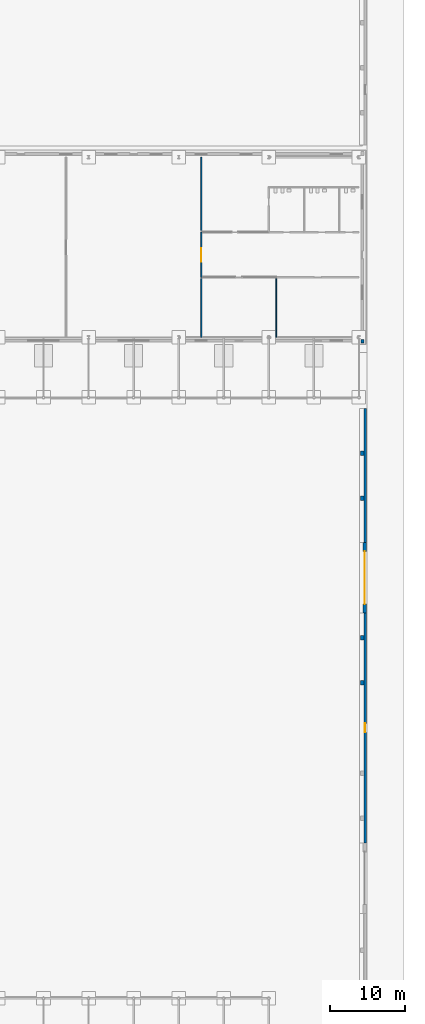
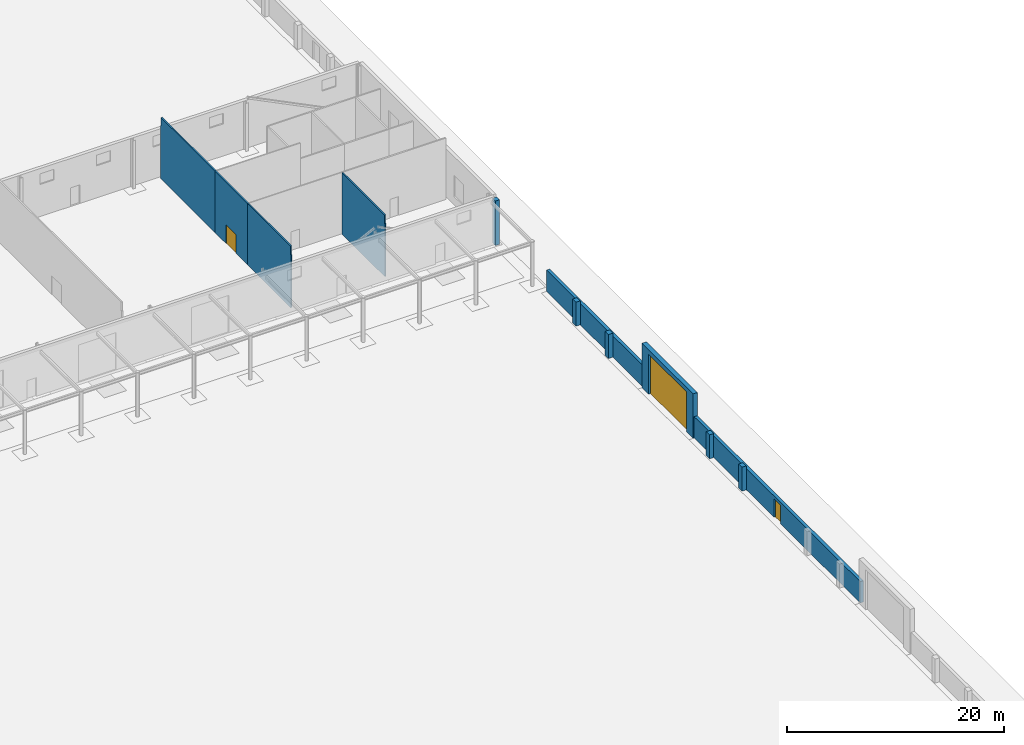
# One storey, part 92 of 132: 12 walls, 3 doors, 3 openings.
"""IFC4 building model written with IfcOpenShell, lengths in metres."""

import ifcopenshell
import ifcopenshell.guid

model = None  # the IFC model being written
_history = None  # IfcOwnerHistory: only IFC2X3 demands one
_inside = {}  # id of a spatial element -> (the spatial element, [elements in it])
_under = {}  # id of a project, library or spatial element -> (it, [spatial elements below it])
_declared = {}  # id of a project -> (the project, [libraries it declares])
_typed = {}  # id of a type object -> (the type object, [elements of that type])
_made_of = {}  # id of a material, layer set ... -> (it, [elements and type objects made of it])


def new_model(schema):
    """Start an empty IFC model of exactly this schema.

    Asked for "IFC4X3", IfcOpenShell would pick the latest addendum, in which some entities
    have other attributes; the version numbers below select the first issue.
    IFC2X3 requires an IfcOwnerHistory on every rooted entity: one is made here for all.
    """
    global model, _history
    if schema == "IFC4X3":
        model = ifcopenshell.file(schema_version=(4, 3, 0, 0))
    else:
        model = ifcopenshell.file(schema=schema)
    _inside.clear()
    _under.clear()
    _declared.clear()
    _typed.clear()
    _made_of.clear()
    _history = None
    if model.schema == "IFC2X3":
        org = make("IfcOrganization", Name="unknown")
        user = make(
            "IfcPersonAndOrganization",
            ThePerson=make("IfcPerson", FamilyName="unknown"),
            TheOrganization=org,
        )
        app = make(
            "IfcApplication",
            ApplicationDeveloper=org,
            Version="unknown",
            ApplicationFullName="unknown",
            ApplicationIdentifier="unknown",
        )
        _history = make(
            "IfcOwnerHistory",
            OwningUser=user,
            OwningApplication=app,
            ChangeAction="ADDED",
            CreationDate=0,
        )
    return model


def make(cls, **values):
    """One entity of the class cls with the attributes given. An attribute that is None is left unset."""
    return model.create_entity(
        cls, **{name: value for name, value in values.items() if value is not None}
    )


def rooted(cls, **values):
    """An entity with a GlobalId (a new one), such as an element, a storey or a relation."""
    return make(cls, GlobalId=ifcopenshell.guid.new(), OwnerHistory=_history, **values)


def si_unit(unit_type, name, prefix=None):
    """IfcSIUnit, for example si_unit("LENGTHUNIT", "METRE", prefix="MILLI")."""
    return make("IfcSIUnit", UnitType=unit_type, Prefix=prefix, Name=name)


def assignment(units):
    """IfcUnitAssignment: the units of a project."""
    return None if units is None else make("IfcUnitAssignment", Units=units)


def point(xyz):
    """IfcCartesianPoint."""
    return None if xyz is None else make("IfcCartesianPoint", Coordinates=xyz)


def direction(xyz):
    """IfcDirection."""
    return None if xyz is None else make("IfcDirection", DirectionRatios=xyz)


def frame(location, z_axis=None, x_axis=None):
    """IfcAxis2Placement3D, a coordinate frame: its origin and axes. An axis left out is left unset."""
    return make(
        "IfcAxis2Placement3D",
        Location=point(location),
        Axis=direction(z_axis),
        RefDirection=direction(x_axis),
    )


def frame_2d(location, x_axis=None):
    """IfcAxis2Placement2D, a coordinate frame in the plane: its origin and x axis."""
    return make(
        "IfcAxis2Placement2D", Location=point(location), RefDirection=direction(x_axis)
    )


def origin():
    """The frame at (0, 0, 0) with its axes left unset."""
    return frame((0.0, 0.0, 0.0))


def place(relative_to, where):
    """IfcLocalPlacement: puts the frame where relative to a parent placement (None: the world)."""
    return make(
        "IfcLocalPlacement", PlacementRelTo=relative_to, RelativePlacement=where
    )


def context(
    kind, dimensions, precision=None, world=None, true_north=None, identifier=None
):
    """IfcGeometricRepresentationContext, for example the 3D "Model" context."""
    return make(
        "IfcGeometricRepresentationContext",
        ContextIdentifier=identifier,
        ContextType=kind,
        CoordinateSpaceDimension=dimensions,
        Precision=precision,
        WorldCoordinateSystem=world,
        TrueNorth=true_north,
    )


def subcontext(parent, identifier, kind, view, scale=None):
    """IfcGeometricRepresentationSubContext, for example "Body" below "Model"."""
    return make(
        "IfcGeometricRepresentationSubContext",
        ContextIdentifier=identifier,
        ContextType=kind,
        ParentContext=parent,
        TargetScale=scale,
        TargetView=view,
    )


def project(units=None, contexts=None):
    """IfcProject with its units and contexts."""
    return rooted(
        "IfcProject",
        Name="project",
        RepresentationContexts=contexts,
        UnitsInContext=assignment(units),
    )


def spatial(cls, under=None, at=None, **own):
    """A site, building, storey or space (cls), placed at a placement, below another one or the project."""
    s = rooted(cls, ObjectPlacement=at, **own)
    if under is not None:
        _under.setdefault(under.id(), (under, []))[1].append(s)
    return s


def polyline(points):
    """IfcPolyline through the points."""
    return make("IfcPolyline", Points=[point(p) for p in points])


def profile(cls, at=None, kind="AREA", **sizes):
    """A parametric profile (cls). Its sizes go by their IFC names, for example OverallWidth=200.0."""
    return make(cls, ProfileType=kind, Position=at, **sizes)


def rectangle(**sizes):
    """IfcRectangleProfileDef."""
    return profile("IfcRectangleProfileDef", **sizes)


def outline(outer, holes=None, kind="AREA"):
    """IfcArbitraryClosedProfileDef: a profile drawn as a closed curve; with holes, ...WithVoids."""
    if holes is None:
        return make("IfcArbitraryClosedProfileDef", ProfileType=kind, OuterCurve=outer)
    return make(
        "IfcArbitraryProfileDefWithVoids",
        ProfileType=kind,
        OuterCurve=outer,
        InnerCurves=holes,
    )


def extrude(swept, where, along, depth):
    """IfcExtrudedAreaSolid: the profile swept, set in the frame where, extruded along a direction by depth."""
    return make(
        "IfcExtrudedAreaSolid",
        SweptArea=swept,
        Position=where,
        ExtrudedDirection=direction(along),
        Depth=depth,
    )


def shape(context_of_items, identifier, shape_type, items):
    """IfcShapeRepresentation: the items that make up one representation, for example the "Body"."""
    return make(
        "IfcShapeRepresentation",
        ContextOfItems=context_of_items,
        RepresentationIdentifier=identifier,
        RepresentationType=shape_type,
        Items=items,
    )


def material(Name=None, Category=None):
    """IfcMaterial."""
    return make("IfcMaterial", Name=Name, Category=Category)


def layer(
    of_material, thickness, ventilated=None, Name=None, Category=None, Priority=None
):
    """IfcMaterialLayer: one layer of a wall or slab, of a material (None: an air gap)."""
    return make(
        "IfcMaterialLayer",
        Material=of_material,
        LayerThickness=thickness,
        IsVentilated=ventilated,
        Name=Name,
        Category=Category,
        Priority=Priority,
    )


def layer_set(layers, Name=None):
    """IfcMaterialLayerSet."""
    return make("IfcMaterialLayerSet", MaterialLayers=layers, LayerSetName=Name)


def made_of(thing, what):
    """Note that an element or type object is made of a material, layer set ...; save() writes the relation."""
    if what is not None:
        _made_of.setdefault(what.id(), (what, []))[1].append(thing)
    return thing


def type_object(cls, material=None, **own):
    """A type object (cls), such as IfcWallType, which elements share."""
    return made_of(rooted(cls, **own), material)


def element(
    cls,
    number,
    at=None,
    inside=None,
    cuts=None,
    type_object=None,
    material=None,
    context=None,
    identifier="Body",
    shape_type=None,
    held_by="IfcProductDefinitionShape",
    body=None,
    shapes=None,
    **own,
):
    """One element of the class cls, such as IfcWall. Its Tag is "e" and its number.

    at: its placement. inside: the storey or other place that contains it. cuts: it is an
    opening in that element (IfcRelVoidsElement). A single representation is given by context,
    identifier, shape_type and body (its items); several are given by shapes. held_by: the class
    of the entity that holds the representations. save() writes the other relations.
    """
    e = rooted(cls, Tag="e%d" % number, ObjectPlacement=at, **own)
    if body is not None:
        shapes = [shape(context, identifier, shape_type, body)]
    if shapes is not None:
        e.Representation = make(held_by, Representations=shapes)
    if inside is not None:
        _inside.setdefault(inside.id(), (inside, []))[1].append(e)
    if cuts is not None:
        rooted(
            "IfcRelVoidsElement", RelatingBuildingElement=cuts, RelatedOpeningElement=e
        )
    if type_object is not None:
        _typed.setdefault(type_object.id(), (type_object, []))[1].append(e)
    return made_of(e, material)


def fill(opening, filler):
    """IfcRelFillsElement: the door or window that sits in an opening."""
    return rooted(
        "IfcRelFillsElement",
        RelatingOpeningElement=opening,
        RelatedBuildingElement=filler,
    )


def aggregate(whole, parts):
    """IfcRelAggregates: a whole, such as a stair, and the parts it consists of."""
    return rooted("IfcRelAggregates", RelatingObject=whole, RelatedObjects=parts)


def save(model, path):
    """Write the relations noted so far, then the file.

    IfcRelAggregates (storeys below a building ...), IfcRelContainedInSpatialStructure (elements
    in a storey), IfcRelDefinesByType, IfcRelAssociatesMaterial and IfcRelDeclares: one each for
    every whole, place, type object, material and project.
    """
    for whole, parts in _under.values():
        aggregate(whole, parts)
    for where, things in _inside.values():
        rooted(
            "IfcRelContainedInSpatialStructure",
            RelatedElements=things,
            RelatingStructure=where,
        )
    for kind, things in _typed.values():
        rooted("IfcRelDefinesByType", RelatedObjects=things, RelatingType=kind)
    for what, things in _made_of.values():
        rooted("IfcRelAssociatesMaterial", RelatedObjects=things, RelatingMaterial=what)
    for by, libraries in _declared.values():
        rooted("IfcRelDeclares", RelatingContext=by, RelatedDefinitions=libraries)
    model.write(path)


model = new_model("IFC4")

# Units and contexts
model_context = context("Model", 3, precision=1e-05, world=origin(), true_north=direction((0.0, 1.0)))
body_context = subcontext(model_context, "Body", "Model", "MODEL_VIEW")
ifc_project = project(units=[si_unit("LENGTHUNIT", "METRE"), si_unit("AREAUNIT", "SQUARE_METRE"), si_unit("VOLUMEUNIT", "CUBIC_METRE"), si_unit("PLANEANGLEUNIT", "RADIAN"), si_unit("MASSUNIT", "GRAM", prefix="KILO")], contexts=[model_context])

# Site, building, storey
site_placement = place(None, origin())
site = spatial("IfcSite", under=ifc_project, at=site_placement, CompositionType="ELEMENT")
building_placement = place(site_placement, origin())
building = spatial("IfcBuilding", under=site, at=building_placement, Name="Ravi Spectrum Wholesale Market", CompositionType="ELEMENT")
storey_placement = place(building_placement, origin())
storey = spatial("IfcBuildingStorey", under=building, at=storey_placement, Name="L00", CompositionType="ELEMENT", Elevation=0.0)

# Wall
ifc_material_1 = material(Name="Concrete blockwork", Category="masonry")
ifc_layer_1 = layer(ifc_material_1, 0.14990234375)
ifc_layer_set_1 = layer_set([ifc_layer_1], Name="Concrete blockwork")
wall_type_1 = type_object("IfcWallType", Name="Blockwork partition 150", PredefinedType="PARTITIONING", material=ifc_layer_set_1)
wall_1_placement = place(storey_placement, frame((273.0, 162.0, 0.0), z_axis=(0.0, 0.0, 1.0), x_axis=(0.0, 1.0, 0.0)))
element("IfcWall", 1, at=wall_1_placement, inside=storey, type_object=wall_type_1, Name="GS-WL-L00-019", PredefinedType="PARTITIONING", context=body_context, shape_type="SweptSolid", body=[
    extrude(outline(polyline([(0.0, 0.0), (8.0, 0.0), (8.0, 6.89990234375), (0.090087890625, 6.89990234375), (0.0849609375, 5.927001953125), (0.0, 5.927001953125), (0.0, 0.0)])), frame((0.0, 0.074951171875, 0.0), z_axis=(0.0, -1.0, 0.0), x_axis=(1.0, 0.0, 0.0)), (0.0, 0.0, 1.0), 0.14990234375),
])

# Wall, opening, door
wall_2_placement = place(storey_placement, frame((273.0, 170.0, 0.0), z_axis=(0.0, 0.0, 1.0), x_axis=(0.0, 1.0, 0.0)))
wall_2 = element("IfcWall", 2, at=wall_2_placement, inside=storey, type_object=wall_type_1, Name="GS-WL-L00-020", PredefinedType="PARTITIONING", context=body_context, shape_type="SweptSolid", body=[
    extrude(rectangle(XDim=6.0, YDim=0.14990234375, at=frame_2d((3.0, 0.0))), origin(), (0.0, 0.0, 1.0), 6.89990234375),
])
opening_1_placement = place(wall_2_placement, frame((2.10009765625, 0.0, 0.0)))
opening_1 = element("IfcOpeningElement", 3, at=opening_1_placement, cuts=wall_2, Name="Opening D722", PredefinedType="OPENING", context=body_context, shape_type="SweptSolid", body=[
    extrude(rectangle(XDim=1.800048828125, YDim=2.10009765625, at=frame_2d((0.89990234375, 1.050048828125))), frame((0.0, 0.0849609375, 0.0), z_axis=(0.0, -1.0, 0.0), x_axis=(1.0, 0.0, 0.0)), (0.0, 0.0, 1.0), 0.169921875),
])
ifc_material_2 = material(Name="Steel door", Category="steel")
door_type_1 = type_object("IfcDoorType", Name="Double leaf door 1800 x 2100", OperationType="DOUBLE_DOOR_SINGLE_SWING", PredefinedType="DOOR", material=ifc_material_2)
door_1_placement = place(opening_1_placement, origin())
door_1 = element("IfcDoor", 4, at=door_1_placement, inside=storey, type_object=door_type_1, Name="Door D722", OperationType="DOUBLE_DOOR_SINGLE_SWING", OverallHeight=2.10009765625, OverallWidth=1.800048828125, PredefinedType="DOOR", context=body_context, shape_type="SweptSolid", body=[
    extrude(rectangle(XDim=1.800048828125, YDim=2.10009765625, at=frame_2d((0.89990234375, 1.050048828125))), frame((0.0, 0.02490234375, 0.0), z_axis=(0.0, -1.0, 0.0), x_axis=(1.0, 0.0, 0.0)), (0.0, 0.0, 1.0), 0.050048828125),
])
fill(opening_1, door_1)

# Walls
wall_3_placement = place(storey_placement, frame((273.0, 176.0, 0.0), z_axis=(0.0, 0.0, 1.0), x_axis=(0.0, 1.0, 0.0)))
element("IfcWall", 5, at=wall_3_placement, inside=storey, type_object=wall_type_1, Name="GS-WL-L00-021", PredefinedType="PARTITIONING", context=body_context, shape_type="SweptSolid", body=[
    extrude(outline(polyline([(0.0, 0.0), (10.0, 0.0), (10.0, 5.927001953125), (9.9150390625, 5.927001953125), (9.909912109375, 6.89990234375), (0.0, 6.89990234375), (0.0, 0.0)])), frame((0.0, 0.074951171875, 0.0), z_axis=(0.0, -1.0, 0.0), x_axis=(1.0, 0.0, 0.0)), (0.0, 0.0, 1.0), 0.14990234375),
])
wall_4_placement = place(storey_placement, frame((283.0, 162.0, 0.0), z_axis=(0.0, 0.0, 1.0), x_axis=(0.0, 1.0, 0.0)))
element("IfcWall", 6, at=wall_4_placement, inside=storey, type_object=wall_type_1, Name="GS-WL-L00-023", PredefinedType="PARTITIONING", context=body_context, shape_type="SweptSolid", body=[
    extrude(outline(polyline([(0.0, 0.0), (7.925048828125, 0.0), (7.925048828125, 6.89990234375), (0.090087890625, 6.89990234375), (0.0849609375, 5.927001953125), (0.0, 5.927001953125), (0.0, 0.0)])), frame((0.0, 0.074951171875, 0.0), z_axis=(0.0, -1.0, 0.0), x_axis=(1.0, 0.0, 0.0)), (0.0, 0.0, 1.0), 0.14990234375),
])

# Wall, opening, door
ifc_material_3 = material(Name="Facing brickwork", Category="masonry")
ifc_layer_2 = layer(ifc_material_3, 0.340087890625)
ifc_layer_set_2 = layer_set([ifc_layer_2], Name="Facing brickwork")
wall_type_2 = type_object("IfcWallType", Name="Boundary wall 340 facing brick", PredefinedType="SOLIDWALL", material=ifc_layer_set_2)
wall_5_placement = place(storey_placement, frame((294.830078125, 94.699951171875, 0.0), z_axis=(0.0, 0.0, 1.0), x_axis=(0.0, 1.0, 0.0)))
wall_5 = element("IfcWall", 7, at=wall_5_placement, inside=storey, type_object=wall_type_2, Name="ST-WL-L00-053", PredefinedType="SOLIDWALL", context=body_context, shape_type="SweptSolid", body=[
    extrude(rectangle(XDim=30.60009765625, YDim=0.340087890625, at=frame_2d((15.300048828125, 0.0))), origin(), (0.0, 0.0, 1.0), 2.39990234375),
])
opening_2_placement = place(wall_5_placement, frame((14.699951171875, 0.0, 0.0)))
opening_2 = element("IfcOpeningElement", 8, at=opening_2_placement, cuts=wall_5, Name="Opening D758", PredefinedType="OPENING", context=body_context, shape_type="SweptSolid", body=[
    extrude(rectangle(XDim=1.199951171875, YDim=2.10009765625, at=frame_2d((0.60009765625, 1.050048828125))), frame((0.0, 0.179931640625, 0.0), z_axis=(0.0, -1.0, 0.0), x_axis=(1.0, 0.0, 0.0)), (0.0, 0.0, 1.0), 0.360107421875),
])
ifc_material_4 = material(Name="Steel gate", Category="steel")
door_type_2 = type_object("IfcDoorType", Name="Pedestrian gate 1200 x 2100", OperationType="SINGLE_SWING_LEFT", PredefinedType="GATE", material=ifc_material_4)
door_2_placement = place(opening_2_placement, origin())
door_2 = element("IfcDoor", 9, at=door_2_placement, inside=storey, type_object=door_type_2, Name="Door D758", OperationType="SINGLE_SWING_LEFT", OverallHeight=2.10009765625, OverallWidth=1.199951171875, PredefinedType="GATE", context=body_context, shape_type="SweptSolid", body=[
    extrude(rectangle(XDim=1.199951171875, YDim=2.10009765625, at=frame_2d((0.60009765625, 1.050048828125))), frame((0.0, 0.02490234375, 0.0), z_axis=(0.0, -1.0, 0.0), x_axis=(1.0, 0.0, 0.0)), (0.0, 0.0, 1.0), 0.050048828125),
])
fill(opening_2, door_2)

# Wall
wall_6_placement = place(storey_placement, frame((294.830078125, 134.699951171875, 0.0), z_axis=(0.0, 0.0, 1.0), x_axis=(0.0, 1.0, 0.0)))
element("IfcWall", 10, at=wall_6_placement, inside=storey, type_object=wall_type_2, Name="ST-WL-L00-058", PredefinedType="SOLIDWALL", context=body_context, shape_type="SweptSolid", body=[
    extrude(rectangle(XDim=17.800048828125, YDim=0.340087890625, at=frame_2d((8.89990234375, 0.0))), origin(), (0.0, 0.0, 1.0), 2.39990234375),
])

# Wall, opening, door
ifc_material_5 = material(Name="Clinker brickwork", Category="masonry")
ifc_layer_3 = layer(ifc_material_5, 0.4599609375)
ifc_layer_set_3 = layer_set([ifc_layer_3], Name="Clinker brickwork")
wall_type_3 = type_object("IfcWallType", Name="Brick 460 pier wall", PredefinedType="SOLIDWALL", material=ifc_layer_set_3)
wall_7_placement = place(storey_placement, frame((294.77001953125, 125.300048828125, 0.0), z_axis=(0.0, 0.0, 1.0), x_axis=(0.0, 1.0, 0.0)))
wall_7 = element("IfcWall", 11, at=wall_7_placement, inside=storey, type_object=wall_type_3, Name="ST-WL-L00-039", PredefinedType="SOLIDWALL", context=body_context, shape_type="SweptSolid", body=[
    extrude(rectangle(XDim=9.39990234375, YDim=0.4599609375, at=frame_2d((4.699951171875, 0.0))), origin(), (0.0, 0.0, 1.0), 5.0),
])
opening_3_placement = place(wall_7_placement, frame((1.199951171875, 0.0, 0.0)))
opening_3 = element("IfcOpeningElement", 12, at=opening_3_placement, cuts=wall_7, Name="Opening D755", PredefinedType="OPENING", context=body_context, shape_type="SweptSolid", body=[
    extrude(rectangle(XDim=7.0, YDim=4.5, at=frame_2d((3.5, 2.25))), frame((0.0, 0.239990234375, 0.0), z_axis=(0.0, -1.0, 0.0), x_axis=(1.0, 0.0, 0.0)), (0.0, 0.0, 1.0), 0.47998046875),
])
ifc_material_6 = material(Name="Steel gate", Category="steel")
door_type_3 = type_object("IfcDoorType", Name="Sliding truck gate 7000 x 4500", OperationType="SLIDING_TO_LEFT", PredefinedType="GATE", material=ifc_material_6)
door_3_placement = place(opening_3_placement, origin())
door_3 = element("IfcDoor", 13, at=door_3_placement, inside=storey, type_object=door_type_3, Name="Gate D755", OperationType="SLIDING_TO_LEFT", OverallHeight=4.5, OverallWidth=7.0, PredefinedType="GATE", context=body_context, shape_type="SweptSolid", body=[
    extrude(rectangle(XDim=7.0, YDim=4.5, at=frame_2d((3.5, 2.25))), frame((0.0, 0.02490234375, 0.0), z_axis=(0.0, -1.0, 0.0), x_axis=(1.0, 0.0, 0.0)), (0.0, 0.0, 1.0), 0.050048828125),
])
fill(opening_3, door_3)

# Walls
for number, where, z_axis, x_axis, name in (
    (14, (294.429931640625, 115.699951171875, 0.0), (0.0, 0.0, 1.0), (0.0, 1.0, 0.0), "ST-WL-L00-056"),
    (15, (294.429931640625, 121.699951171875, 0.0), (0.0, 0.0, 1.0), (0.0, 1.0, 0.0), "ST-WL-L00-057"),
):
    element("IfcWall", number, at=place(storey_placement, frame(where, z_axis=z_axis, x_axis=x_axis)), inside=storey, type_object=wall_type_3, Name=name, PredefinedType="SOLIDWALL", context=body_context, shape_type="SweptSolid", body=[
        extrude(rectangle(XDim=0.60009765625, YDim=0.4599609375, at=frame_2d((0.300048828125, 0.0))), origin(), (0.0, 0.0, 1.0), 2.699951171875),
    ])
for number, where, z_axis, x_axis, name in (
    (16, (294.429931640625, 140.300048828125, 0.0), (0.0, 0.0, 1.0), (0.0, 1.0, 0.0), "ST-WL-L00-059"),
    (17, (294.429931640625, 146.300048828125, 0.0), (0.0, 0.0, 1.0), (0.0, 1.0, 0.0), "ST-WL-L00-060"),
):
    element("IfcWall", number, at=place(storey_placement, frame(where, z_axis=z_axis, x_axis=x_axis)), inside=storey, type_object=wall_type_3, Name=name, PredefinedType="SOLIDWALL", context=body_context, shape_type="SweptSolid", body=[
        extrude(rectangle(XDim=0.599853515625, YDim=0.4599609375, at=frame_2d((0.2998046875, 0.0))), origin(), (0.0, 0.0, 1.0), 2.699951171875),
    ])
ifc_material_7 = material(Name="Clinker brickwork", Category="masonry")
ifc_layer_4 = layer(ifc_material_7, 0.52490234375)
ifc_layer_set_4 = layer_set([ifc_layer_4], Name="Clinker brickwork")
wall_type_4 = type_object("IfcWallType", Name="Brick pier 525", PredefinedType="SOLIDWALL", material=ifc_layer_set_4)
wall_8_placement = place(storey_placement, frame((294.25, 161.487548828125, 0.0), z_axis=(0.0, 0.0, 1.0), x_axis=(1.0, 0.0, 0.0)))
element("IfcWall", 18, at=wall_8_placement, inside=storey, type_object=wall_type_4, Name="GS-WL-L00-006", PredefinedType="SOLIDWALL", context=body_context, shape_type="SweptSolid", body=[
    extrude(rectangle(XDim=0.455078125, YDim=0.52490234375, at=frame_2d((0.2275390625, 0.0))), origin(), (0.0, 0.0, 1.0), 5.010009765625),
])

save(model, "model.ifc")
